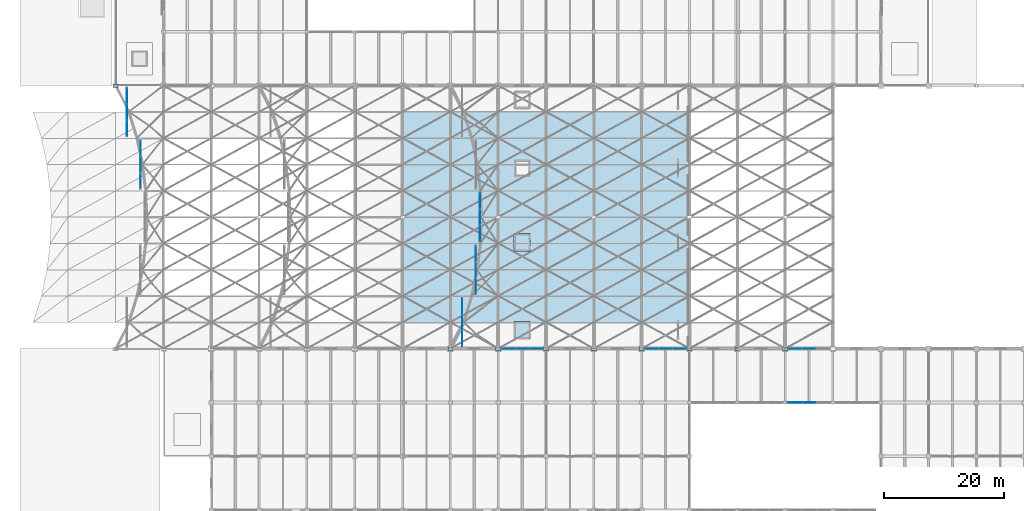
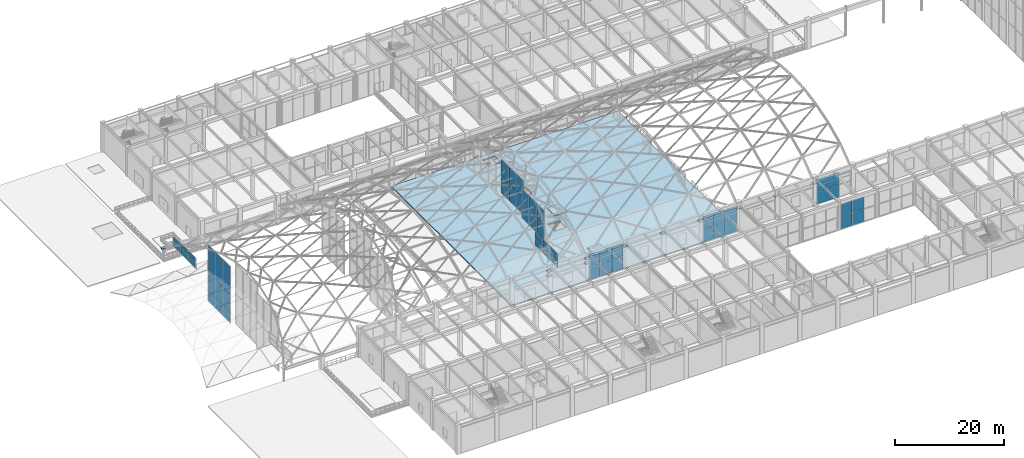
# One storey, part 114 of 163: 61 plates, 3 slabs, 9 elements without a shape of their own.
"""IFC4 building model written with IfcOpenShell, lengths in metres."""

from ifc_helpers import new_model, si_unit, direction, frame, origin, origin_2d, place, context, subcontext, project, spatial, polyline, rectangle, outline, extrude, material, layer, layer_set, type_object, element, aggregate, save


model = new_model("IFC4")

# Units and contexts
model_context = context("Model", 3, precision=1e-05, world=origin(), true_north=direction((0.0, 1.0)))
body_context = subcontext(model_context, "Body", "Model", "MODEL_VIEW")
ifc_project = project(units=[si_unit("LENGTHUNIT", "METRE"), si_unit("AREAUNIT", "SQUARE_METRE"), si_unit("VOLUMEUNIT", "CUBIC_METRE"), si_unit("PLANEANGLEUNIT", "RADIAN"), si_unit("MASSUNIT", "GRAM", prefix="KILO")], contexts=[model_context])

# Site, building, storey
site_placement = place(None, origin())
site = spatial("IfcSite", under=ifc_project, at=site_placement, CompositionType="ELEMENT")
building_placement = place(site_placement, origin())
building = spatial("IfcBuilding", under=site, at=building_placement, Name="Varnabhumi Central Station", CompositionType="ELEMENT")
storey_placement = place(building_placement, frame((0.0, 0.0, 9.60009765625)))
storey = spatial("IfcBuildingStorey", under=building, at=storey_placement, Name="L02", CompositionType="ELEMENT", Elevation=9.60009765625)

# Curtain wall, plates
ifc_material_1 = material(Name="Anodised aluminium 6063-T6", Category="aluminium")
curtain_wall_type_1 = type_object("IfcCurtainWallType", Name="CW-SPINE-SCREEN-L2", PredefinedType="NOTDEFINED", material=ifc_material_1)
curtain_wall_1_placement = place(storey_placement, origin())
curtain_wall_1 = element("IfcCurtainWall", 1, at=curtain_wall_1_placement, inside=storey, type_object=curtain_wall_type_1, Name="Curtain Wall CW-SS209", PredefinedType="NOTDEFINED")
ifc_material_2 = material(Name="Laminated low-E double glazing", Category="glass")
ifc_layer_1 = layer(ifc_material_2, 0.035888671875, Name="Laminated low-E double glazing", Category="glass")
ifc_layer_set_1 = layer_set([ifc_layer_1], Name="Laminated low-E double glazing")
plate_type_1 = type_object("IfcPlateType", Name="CW-PNL-GLZ-3", PredefinedType="CURTAIN_PANEL", material=ifc_layer_set_1)
plate_1_placement = place(storey_placement, frame((105.63330078125, 36.0, 0.0400390625), z_axis=(0.0, 0.0, 1.0), x_axis=(1.0, 0.0, 0.0)))
plate_1 = element("IfcPlate", 2, at=plate_1_placement, type_object=plate_type_1, Name="Glazed Panel CW-SS209-P11", PredefinedType="CURTAIN_PANEL", context=body_context, shape_type="SweptSolid", body=[
    extrude(rectangle(XDim=2.28662109375, YDim=0.035888671875, at=origin_2d()), origin(), (0.0, 0.0, 1.0), 2.739990234375),
])
plate_2_placement = place(storey_placement, frame((105.63330078125, 36.0, 2.85986328125), z_axis=(0.0, 0.0, 1.0), x_axis=(1.0, 0.0, 0.0)))
plate_2 = element("IfcPlate", 3, at=plate_2_placement, type_object=plate_type_1, Name="Glazed Panel CW-SS209-P12", PredefinedType="CURTAIN_PANEL", context=body_context, shape_type="SweptSolid", body=[
    extrude(rectangle(XDim=2.28662109375, YDim=0.035888671875, at=origin_2d()), origin(), (0.0, 0.0, 1.0), 2.739990234375),
])
plate_3_placement = place(storey_placement, frame((108.0, 36.0, 0.0400390625), z_axis=(0.0, 0.0, 1.0), x_axis=(1.0, 0.0, 0.0)))
plate_3 = element("IfcPlate", 4, at=plate_3_placement, type_object=plate_type_1, Name="Glazed Panel CW-SS209-P21", PredefinedType="CURTAIN_PANEL", context=body_context, shape_type="SweptSolid", body=[
    extrude(rectangle(XDim=2.28662109375, YDim=0.035888671875, at=origin_2d()), origin(), (0.0, 0.0, 1.0), 2.739990234375),
])
plate_4_placement = place(storey_placement, frame((108.0, 36.0, 2.85986328125), z_axis=(0.0, 0.0, 1.0), x_axis=(1.0, 0.0, 0.0)))
plate_4 = element("IfcPlate", 5, at=plate_4_placement, type_object=plate_type_1, Name="Glazed Panel CW-SS209-P22", PredefinedType="CURTAIN_PANEL", context=body_context, shape_type="SweptSolid", body=[
    extrude(rectangle(XDim=2.28662109375, YDim=0.035888671875, at=origin_2d()), origin(), (0.0, 0.0, 1.0), 2.739990234375),
])
plate_5_placement = place(storey_placement, frame((110.36669921875, 36.0, 0.0400390625), z_axis=(0.0, 0.0, 1.0), x_axis=(1.0, 0.0, 0.0)))
plate_5 = element("IfcPlate", 6, at=plate_5_placement, type_object=plate_type_1, Name="Glazed Panel CW-SS209-P31", PredefinedType="CURTAIN_PANEL", context=body_context, shape_type="SweptSolid", body=[
    extrude(rectangle(XDim=2.28662109375, YDim=0.035888671875, at=origin_2d()), origin(), (0.0, 0.0, 1.0), 2.739990234375),
])
plate_6_placement = place(storey_placement, frame((110.36669921875, 36.0, 2.85986328125), z_axis=(0.0, 0.0, 1.0), x_axis=(1.0, 0.0, 0.0)))
plate_6 = element("IfcPlate", 7, at=plate_6_placement, type_object=plate_type_1, Name="Glazed Panel CW-SS209-P32", PredefinedType="CURTAIN_PANEL", context=body_context, shape_type="SweptSolid", body=[
    extrude(rectangle(XDim=2.28662109375, YDim=0.035888671875, at=origin_2d()), origin(), (0.0, 0.0, 1.0), 2.739990234375),
])
aggregate(curtain_wall_1, [plate_1, plate_2, plate_3, plate_4, plate_5, plate_6])

curtain_wall_type_2 = type_object("IfcCurtainWallType", Name="CW-VAULT-ARCH-V2", PredefinedType="NOTDEFINED", material=ifc_material_1)
curtain_wall_2_placement = place(storey_placement, origin())
curtain_wall_2 = element("IfcCurtainWall", 8, at=curtain_wall_2_placement, inside=storey, type_object=curtain_wall_type_2, Name="Curtain Wall CW-V24", PredefinedType="NOTDEFINED")
ifc_layer_2 = layer(ifc_material_2, 0.035888671875, Name="Laminated low-E double glazing", Category="glass")
ifc_layer_set_2 = layer_set([ifc_layer_2], Name="Laminated low-E double glazing")
plate_type_2 = type_object("IfcPlateType", Name="CW-PNL-GLZ-5", PredefinedType="CURTAIN_PANEL", material=ifc_layer_set_2)
plate_7_placement = place(storey_placement, frame((20.18798828125, 64.10009765625, -4.76025390625), z_axis=(0.0, 0.0, 1.0), x_axis=(0.0, 1.0, 0.0)))
plate_7 = element("IfcPlate", 9, at=plate_7_placement, type_object=plate_type_2, Name="Glazed Panel CW-V24-P11", PredefinedType="CURTAIN_PANEL", context=body_context, shape_type="SweptSolid", body=[
    extrude(rectangle(XDim=2.6201171875, YDim=0.035888671875, at=origin_2d()), origin(), (0.0, 0.0, 1.0), 6.236083984375),
])
plate_8_placement = place(storey_placement, frame((20.18798828125, 64.10009765625, 1.55615234375), z_axis=(0.0, 0.0, 1.0), x_axis=(0.0, 1.0, 0.0)))
plate_8 = element("IfcPlate", 10, at=plate_8_placement, type_object=plate_type_2, Name="Glazed Panel CW-V24-P12", PredefinedType="CURTAIN_PANEL", context=body_context, shape_type="SweptSolid", body=[
    extrude(rectangle(XDim=2.6201171875, YDim=0.035888671875, at=origin_2d()), origin(), (0.0, 0.0, 1.0), 6.236083984375),
])
plate_9_placement = place(storey_placement, frame((20.18798828125, 66.800048828125, -4.76025390625), z_axis=(0.0, 0.0, 1.0), x_axis=(0.0, 1.0, 0.0)))
plate_9 = element("IfcPlate", 11, at=plate_9_placement, type_object=plate_type_2, Name="Glazed Panel CW-V24-P21", PredefinedType="CURTAIN_PANEL", context=body_context, shape_type="SweptSolid", body=[
    extrude(rectangle(XDim=2.6201171875, YDim=0.035888671875, at=origin_2d()), origin(), (0.0, 0.0, 1.0), 6.236083984375),
])
plate_10_placement = place(storey_placement, frame((20.18798828125, 66.800048828125, 1.55615234375), z_axis=(0.0, 0.0, 1.0), x_axis=(0.0, 1.0, 0.0)))
plate_10 = element("IfcPlate", 12, at=plate_10_placement, type_object=plate_type_2, Name="Glazed Panel CW-V24-P22", PredefinedType="CURTAIN_PANEL", context=body_context, shape_type="SweptSolid", body=[
    extrude(rectangle(XDim=2.6201171875, YDim=0.035888671875, at=origin_2d()), origin(), (0.0, 0.0, 1.0), 6.236083984375),
])
plate_11_placement = place(storey_placement, frame((20.18798828125, 69.5, -4.76025390625), z_axis=(0.0, 0.0, 1.0), x_axis=(0.0, 1.0, 0.0)))
plate_11 = element("IfcPlate", 13, at=plate_11_placement, type_object=plate_type_2, Name="Glazed Panel CW-V24-P31", PredefinedType="CURTAIN_PANEL", context=body_context, shape_type="SweptSolid", body=[
    extrude(rectangle(XDim=2.6201171875, YDim=0.035888671875, at=origin_2d()), origin(), (0.0, 0.0, 1.0), 6.236083984375),
])
plate_12_placement = place(storey_placement, frame((20.18798828125, 69.5, 1.55615234375), z_axis=(0.0, 0.0, 1.0), x_axis=(0.0, 1.0, 0.0)))
plate_12 = element("IfcPlate", 14, at=plate_12_placement, type_object=plate_type_2, Name="Glazed Panel CW-V24-P32", PredefinedType="CURTAIN_PANEL", context=body_context, shape_type="SweptSolid", body=[
    extrude(rectangle(XDim=2.6201171875, YDim=0.035888671875, at=origin_2d()), origin(), (0.0, 0.0, 1.0), 6.236083984375),
])
aggregate(curtain_wall_2, [plate_7, plate_8, plate_9, plate_10, plate_11, plate_12])

curtain_wall_3_placement = place(storey_placement, origin())
curtain_wall_3 = element("IfcCurtainWall", 15, at=curtain_wall_3_placement, inside=storey, type_object=curtain_wall_type_2, Name="Curtain Wall CW-V25", PredefinedType="NOTDEFINED")
plate_13_placement = place(storey_placement, frame((17.910888671875, 72.89990234375, 2.93994140625), z_axis=(0.0, 0.0, 1.0), x_axis=(0.0, 1.0, 0.0)))
plate_13 = element("IfcPlate", 16, at=plate_13_placement, type_object=plate_type_2, Name="Glazed Panel CW-V25-P11", PredefinedType="CURTAIN_PANEL", context=body_context, shape_type="SweptSolid", body=[
    extrude(rectangle(XDim=2.6201171875, YDim=0.035888671875, at=origin_2d()), origin(), (0.0, 0.0, 1.0), 1.072265625),
])
plate_14_placement = place(storey_placement, frame((17.910888671875, 72.89990234375, 4.092041015625), z_axis=(0.0, 0.0, 1.0), x_axis=(0.0, 1.0, 0.0)))
plate_14 = element("IfcPlate", 17, at=plate_14_placement, type_object=plate_type_2, Name="Glazed Panel CW-V25-P12", PredefinedType="CURTAIN_PANEL", context=body_context, shape_type="SweptSolid", body=[
    extrude(rectangle(XDim=2.6201171875, YDim=0.035888671875, at=origin_2d()), origin(), (0.0, 0.0, 1.0), 1.072265625),
])
plate_15_placement = place(storey_placement, frame((17.910888671875, 75.60009765625, 2.93994140625), z_axis=(0.0, 0.0, 1.0), x_axis=(0.0, 1.0, 0.0)))
plate_15 = element("IfcPlate", 18, at=plate_15_placement, type_object=plate_type_2, Name="Glazed Panel CW-V25-P21", PredefinedType="CURTAIN_PANEL", context=body_context, shape_type="SweptSolid", body=[
    extrude(rectangle(XDim=2.6201171875, YDim=0.035888671875, at=origin_2d()), origin(), (0.0, 0.0, 1.0), 1.072265625),
])
plate_16_placement = place(storey_placement, frame((17.910888671875, 75.60009765625, 4.092041015625), z_axis=(0.0, 0.0, 1.0), x_axis=(0.0, 1.0, 0.0)))
plate_16 = element("IfcPlate", 19, at=plate_16_placement, type_object=plate_type_2, Name="Glazed Panel CW-V25-P22", PredefinedType="CURTAIN_PANEL", context=body_context, shape_type="SweptSolid", body=[
    extrude(rectangle(XDim=2.6201171875, YDim=0.035888671875, at=origin_2d()), origin(), (0.0, 0.0, 1.0), 1.072265625),
])
plate_17_placement = place(storey_placement, frame((17.910888671875, 78.300048828125, 2.93994140625), z_axis=(0.0, 0.0, 1.0), x_axis=(0.0, 1.0, 0.0)))
plate_17 = element("IfcPlate", 20, at=plate_17_placement, type_object=plate_type_2, Name="Glazed Panel CW-V25-P31", PredefinedType="CURTAIN_PANEL", context=body_context, shape_type="SweptSolid", body=[
    extrude(rectangle(XDim=2.6201171875, YDim=0.035888671875, at=origin_2d()), origin(), (0.0, 0.0, 1.0), 1.072265625),
])
plate_18_placement = place(storey_placement, frame((17.910888671875, 78.300048828125, 4.092041015625), z_axis=(0.0, 0.0, 1.0), x_axis=(0.0, 1.0, 0.0)))
plate_18 = element("IfcPlate", 21, at=plate_18_placement, type_object=plate_type_2, Name="Glazed Panel CW-V25-P32", PredefinedType="CURTAIN_PANEL", context=body_context, shape_type="SweptSolid", body=[
    extrude(rectangle(XDim=2.6201171875, YDim=0.035888671875, at=origin_2d()), origin(), (0.0, 0.0, 1.0), 1.072265625),
])
aggregate(curtain_wall_3, [plate_13, plate_14, plate_15, plate_16, plate_17, plate_18])

curtain_wall_4_placement = place(storey_placement, origin())
curtain_wall_4 = element("IfcCurtainWall", 22, at=curtain_wall_4_placement, inside=storey, type_object=curtain_wall_type_1, Name="Curtain Wall CW-SS212", PredefinedType="NOTDEFINED")
ifc_layer_3 = layer(ifc_material_2, 0.035888671875, Name="Laminated low-E double glazing", Category="glass")
ifc_layer_set_3 = layer_set([ifc_layer_3], Name="Laminated low-E double glazing")
plate_type_3 = type_object("IfcPlateType", Name="CW-PNL-GLZ-6", PredefinedType="CURTAIN_PANEL", material=ifc_layer_set_3)
plate_19_placement = place(storey_placement, frame((129.63330078125, 36.0, 0.0400390625), z_axis=(0.0, 0.0, 1.0), x_axis=(1.0, 0.0, 0.0)))
plate_19 = element("IfcPlate", 23, at=plate_19_placement, type_object=plate_type_3, Name="Glazed Panel CW-SS212-P11", PredefinedType="CURTAIN_PANEL", context=body_context, shape_type="SweptSolid", body=[
    extrude(rectangle(XDim=2.28662109375, YDim=0.035888671875, at=origin_2d()), origin(), (0.0, 0.0, 1.0), 2.739990234375),
])
plate_20_placement = place(storey_placement, frame((129.63330078125, 36.0, 2.85986328125), z_axis=(0.0, 0.0, 1.0), x_axis=(1.0, 0.0, 0.0)))
plate_20 = element("IfcPlate", 24, at=plate_20_placement, type_object=plate_type_3, Name="Glazed Panel CW-SS212-P12", PredefinedType="CURTAIN_PANEL", context=body_context, shape_type="SweptSolid", body=[
    extrude(rectangle(XDim=2.28662109375, YDim=0.035888671875, at=origin_2d()), origin(), (0.0, 0.0, 1.0), 2.739990234375),
])
plate_21_placement = place(storey_placement, frame((132.0, 36.0, 0.0400390625), z_axis=(0.0, 0.0, 1.0), x_axis=(1.0, 0.0, 0.0)))
plate_21 = element("IfcPlate", 25, at=plate_21_placement, type_object=plate_type_3, Name="Glazed Panel CW-SS212-P21", PredefinedType="CURTAIN_PANEL", context=body_context, shape_type="SweptSolid", body=[
    extrude(rectangle(XDim=2.28662109375, YDim=0.035888671875, at=origin_2d()), origin(), (0.0, 0.0, 1.0), 2.739990234375),
])
plate_22_placement = place(storey_placement, frame((132.0, 36.0, 2.85986328125), z_axis=(0.0, 0.0, 1.0), x_axis=(1.0, 0.0, 0.0)))
plate_22 = element("IfcPlate", 26, at=plate_22_placement, type_object=plate_type_3, Name="Glazed Panel CW-SS212-P22", PredefinedType="CURTAIN_PANEL", context=body_context, shape_type="SweptSolid", body=[
    extrude(rectangle(XDim=2.28662109375, YDim=0.035888671875, at=origin_2d()), origin(), (0.0, 0.0, 1.0), 2.739990234375),
])
aggregate(curtain_wall_4, [plate_19, plate_20, plate_21, plate_22])

curtain_wall_type_3 = type_object("IfcCurtainWallType", Name="CW-PATIO-LOGGIA-L2", PredefinedType="NOTDEFINED", material=ifc_material_1)
curtain_wall_5_placement = place(storey_placement, origin())
curtain_wall_5 = element("IfcCurtainWall", 27, at=curtain_wall_5_placement, inside=storey, type_object=curtain_wall_type_3, Name="Curtain Wall CW-SP2N3", PredefinedType="NOTDEFINED")
ifc_layer_4 = layer(ifc_material_2, 0.035888671875, Name="Laminated low-E double glazing", Category="glass")
ifc_layer_set_4 = layer_set([ifc_layer_4], Name="Laminated low-E double glazing")
plate_type_4 = type_object("IfcPlateType", Name="CW-PNL-GLZ-8", PredefinedType="CURTAIN_PANEL", material=ifc_layer_set_4)
plate_23_placement = place(storey_placement, frame((129.61328125, 27.0, 0.0400390625), z_axis=(0.0, 0.0, 1.0), x_axis=(1.0, 0.0, 0.0)))
plate_23 = element("IfcPlate", 28, at=plate_23_placement, type_object=plate_type_4, Name="Glazed Panel CW-SP2N3-P11", PredefinedType="CURTAIN_PANEL", context=body_context, shape_type="SweptSolid", body=[
    extrude(rectangle(XDim=2.306640625, YDim=0.035888671875, at=origin_2d()), origin(), (0.0, 0.0, 1.0), 2.739990234375),
])
plate_24_placement = place(storey_placement, frame((129.61328125, 27.0, 2.85986328125), z_axis=(0.0, 0.0, 1.0), x_axis=(1.0, 0.0, 0.0)))
plate_24 = element("IfcPlate", 29, at=plate_24_placement, type_object=plate_type_4, Name="Glazed Panel CW-SP2N3-P12", PredefinedType="CURTAIN_PANEL", context=body_context, shape_type="SweptSolid", body=[
    extrude(rectangle(XDim=2.306640625, YDim=0.035888671875, at=origin_2d()), origin(), (0.0, 0.0, 1.0), 2.739990234375),
])
plate_25_placement = place(storey_placement, frame((132.0, 27.0, 0.0400390625), z_axis=(0.0, 0.0, 1.0), x_axis=(1.0, 0.0, 0.0)))
plate_25 = element("IfcPlate", 30, at=plate_25_placement, type_object=plate_type_4, Name="Glazed Panel CW-SP2N3-P21", PredefinedType="CURTAIN_PANEL", context=body_context, shape_type="SweptSolid", body=[
    extrude(rectangle(XDim=2.306640625, YDim=0.035888671875, at=origin_2d()), origin(), (0.0, 0.0, 1.0), 2.739990234375),
])
plate_26_placement = place(storey_placement, frame((132.0, 27.0, 2.85986328125), z_axis=(0.0, 0.0, 1.0), x_axis=(1.0, 0.0, 0.0)))
plate_26 = element("IfcPlate", 31, at=plate_26_placement, type_object=plate_type_4, Name="Glazed Panel CW-SP2N3-P22", PredefinedType="CURTAIN_PANEL", context=body_context, shape_type="SweptSolid", body=[
    extrude(rectangle(XDim=2.306640625, YDim=0.035888671875, at=origin_2d()), origin(), (0.0, 0.0, 1.0), 2.739990234375),
])
aggregate(curtain_wall_5, [plate_23, plate_24, plate_25, plate_26])

curtain_wall_type_4 = type_object("IfcCurtainWallType", Name="CW-VAULT-ARCH-V4", PredefinedType="NOTDEFINED", material=ifc_material_1)
curtain_wall_6_placement = place(storey_placement, origin())
curtain_wall_6 = element("IfcCurtainWall", 32, at=curtain_wall_6_placement, inside=storey, type_object=curtain_wall_type_4, Name="Curtain Wall CW-V41", PredefinedType="NOTDEFINED")
ifc_layer_5 = layer(ifc_material_2, 0.035888671875, Name="Laminated low-E double glazing", Category="glass")
ifc_layer_set_5 = layer_set([ifc_layer_5], Name="Laminated low-E double glazing")
plate_type_5 = type_object("IfcPlateType", Name="CW-PNL-GLZ-9", PredefinedType="CURTAIN_PANEL", material=ifc_layer_set_5)
plate_27_placement = place(storey_placement, frame((73.98095703125, 37.699951171875, 4.889892578125), z_axis=(0.0, 0.0, 1.0), x_axis=(0.0, 1.0, 0.0)))
plate_27 = element("IfcPlate", 33, at=plate_27_placement, type_object=plate_type_5, Name="Glazed Panel CW-V41-P11", PredefinedType="CURTAIN_PANEL", context=body_context, shape_type="SweptSolid", body=[
    extrude(rectangle(XDim=2.6201171875, YDim=0.035888671875, at=origin_2d()), origin(), (0.0, 0.0, 1.0), 1.45556640625),
])
plate_28_placement = place(storey_placement, frame((73.98095703125, 37.699951171875, 6.42529296875), z_axis=(0.0, 0.0, 1.0), x_axis=(0.0, 1.0, 0.0)))
plate_28 = element("IfcPlate", 34, at=plate_28_placement, type_object=plate_type_5, Name="Glazed Panel CW-V41-P12", PredefinedType="CURTAIN_PANEL", context=body_context, shape_type="SweptSolid", body=[
    extrude(rectangle(XDim=2.6201171875, YDim=0.035888671875, at=origin_2d()), origin(), (0.0, 0.0, 1.0), 1.45556640625),
])
plate_29_placement = place(storey_placement, frame((73.98095703125, 40.39990234375, 4.889892578125), z_axis=(0.0, 0.0, 1.0), x_axis=(0.0, 1.0, 0.0)))
plate_29 = element("IfcPlate", 35, at=plate_29_placement, type_object=plate_type_5, Name="Glazed Panel CW-V41-P21", PredefinedType="CURTAIN_PANEL", context=body_context, shape_type="SweptSolid", body=[
    extrude(rectangle(XDim=2.6201171875, YDim=0.035888671875, at=origin_2d()), origin(), (0.0, 0.0, 1.0), 1.45556640625),
])
plate_30_placement = place(storey_placement, frame((73.98095703125, 40.39990234375, 6.42529296875), z_axis=(0.0, 0.0, 1.0), x_axis=(0.0, 1.0, 0.0)))
plate_30 = element("IfcPlate", 36, at=plate_30_placement, type_object=plate_type_5, Name="Glazed Panel CW-V41-P22", PredefinedType="CURTAIN_PANEL", context=body_context, shape_type="SweptSolid", body=[
    extrude(rectangle(XDim=2.6201171875, YDim=0.035888671875, at=origin_2d()), origin(), (0.0, 0.0, 1.0), 1.45556640625),
])
plate_31_placement = place(storey_placement, frame((73.98095703125, 43.10009765625, 4.889892578125), z_axis=(0.0, 0.0, 1.0), x_axis=(0.0, 1.0, 0.0)))
plate_31 = element("IfcPlate", 37, at=plate_31_placement, type_object=plate_type_5, Name="Glazed Panel CW-V41-P31", PredefinedType="CURTAIN_PANEL", context=body_context, shape_type="SweptSolid", body=[
    extrude(rectangle(XDim=2.6201171875, YDim=0.035888671875, at=origin_2d()), origin(), (0.0, 0.0, 1.0), 1.45556640625),
])
plate_32_placement = place(storey_placement, frame((73.98095703125, 43.10009765625, 6.42529296875), z_axis=(0.0, 0.0, 1.0), x_axis=(0.0, 1.0, 0.0)))
plate_32 = element("IfcPlate", 38, at=plate_32_placement, type_object=plate_type_5, Name="Glazed Panel CW-V41-P32", PredefinedType="CURTAIN_PANEL", context=body_context, shape_type="SweptSolid", body=[
    extrude(rectangle(XDim=2.6201171875, YDim=0.035888671875, at=origin_2d()), origin(), (0.0, 0.0, 1.0), 1.45556640625),
])
aggregate(curtain_wall_6, [plate_27, plate_28, plate_29, plate_30, plate_31, plate_32])

curtain_wall_7_placement = place(storey_placement, origin())
curtain_wall_7 = element("IfcCurtainWall", 39, at=curtain_wall_7_placement, inside=storey, type_object=curtain_wall_type_4, Name="Curtain Wall CW-V42", PredefinedType="NOTDEFINED")
plate_33_placement = place(storey_placement, frame((76.258056640625, 46.5, 4.889892578125), z_axis=(0.0, 0.0, 1.0), x_axis=(0.0, 1.0, 0.0)))
plate_33 = element("IfcPlate", 40, at=plate_33_placement, type_object=plate_type_5, Name="Glazed Panel CW-V42-P11", PredefinedType="CURTAIN_PANEL", context=body_context, shape_type="SweptSolid", body=[
    extrude(rectangle(XDim=2.6201171875, YDim=0.035888671875, at=origin_2d()), origin(), (0.0, 0.0, 1.0), 3.16357421875),
])
plate_34_placement = place(storey_placement, frame((76.258056640625, 46.5, 8.133544921875), z_axis=(0.0, 0.0, 1.0), x_axis=(0.0, 1.0, 0.0)))
plate_34 = element("IfcPlate", 41, at=plate_34_placement, type_object=plate_type_5, Name="Glazed Panel CW-V42-P12", PredefinedType="CURTAIN_PANEL", context=body_context, shape_type="SweptSolid", body=[
    extrude(rectangle(XDim=2.6201171875, YDim=0.035888671875, at=origin_2d()), origin(), (0.0, 0.0, 1.0), 3.16357421875),
])
plate_35_placement = place(storey_placement, frame((76.258056640625, 49.199951171875, 4.889892578125), z_axis=(0.0, 0.0, 1.0), x_axis=(0.0, 1.0, 0.0)))
plate_35 = element("IfcPlate", 42, at=plate_35_placement, type_object=plate_type_5, Name="Glazed Panel CW-V42-P21", PredefinedType="CURTAIN_PANEL", context=body_context, shape_type="SweptSolid", body=[
    extrude(rectangle(XDim=2.6201171875, YDim=0.035888671875, at=origin_2d()), origin(), (0.0, 0.0, 1.0), 3.16357421875),
])
plate_36_placement = place(storey_placement, frame((76.258056640625, 49.199951171875, 8.133544921875), z_axis=(0.0, 0.0, 1.0), x_axis=(0.0, 1.0, 0.0)))
plate_36 = element("IfcPlate", 43, at=plate_36_placement, type_object=plate_type_5, Name="Glazed Panel CW-V42-P22", PredefinedType="CURTAIN_PANEL", context=body_context, shape_type="SweptSolid", body=[
    extrude(rectangle(XDim=2.6201171875, YDim=0.035888671875, at=origin_2d()), origin(), (0.0, 0.0, 1.0), 3.16357421875),
])
plate_37_placement = place(storey_placement, frame((76.258056640625, 51.89990234375, 4.889892578125), z_axis=(0.0, 0.0, 1.0), x_axis=(0.0, 1.0, 0.0)))
plate_37 = element("IfcPlate", 44, at=plate_37_placement, type_object=plate_type_5, Name="Glazed Panel CW-V42-P31", PredefinedType="CURTAIN_PANEL", context=body_context, shape_type="SweptSolid", body=[
    extrude(rectangle(XDim=2.6201171875, YDim=0.035888671875, at=origin_2d()), origin(), (0.0, 0.0, 1.0), 3.16357421875),
])
plate_38_placement = place(storey_placement, frame((76.258056640625, 51.89990234375, 8.133544921875), z_axis=(0.0, 0.0, 1.0), x_axis=(0.0, 1.0, 0.0)))
plate_38 = element("IfcPlate", 45, at=plate_38_placement, type_object=plate_type_5, Name="Glazed Panel CW-V42-P32", PredefinedType="CURTAIN_PANEL", context=body_context, shape_type="SweptSolid", body=[
    extrude(rectangle(XDim=2.6201171875, YDim=0.035888671875, at=origin_2d()), origin(), (0.0, 0.0, 1.0), 3.16357421875),
])
aggregate(curtain_wall_7, [plate_33, plate_34, plate_35, plate_36, plate_37, plate_38])

curtain_wall_8_placement = place(storey_placement, origin())
curtain_wall_8 = element("IfcCurtainWall", 46, at=curtain_wall_8_placement, inside=storey, type_object=curtain_wall_type_4, Name="Curtain Wall CW-V43", PredefinedType="NOTDEFINED")
plate_39_placement = place(storey_placement, frame((76.967041015625, 55.300048828125, 4.8896484375), z_axis=(0.0, 0.0, 1.0), x_axis=(0.0, 1.0, 0.0)))
plate_39 = element("IfcPlate", 47, at=plate_39_placement, type_object=plate_type_5, Name="Glazed Panel CW-V43-P11", PredefinedType="CURTAIN_PANEL", context=body_context, shape_type="SweptSolid", body=[
    extrude(rectangle(XDim=2.6201171875, YDim=0.035888671875, at=origin_2d()), origin(), (0.0, 0.0, 1.0), 3.695068359375),
])
plate_40_placement = place(storey_placement, frame((76.967041015625, 55.300048828125, 8.6650390625), z_axis=(0.0, 0.0, 1.0), x_axis=(0.0, 1.0, 0.0)))
plate_40 = element("IfcPlate", 48, at=plate_40_placement, type_object=plate_type_5, Name="Glazed Panel CW-V43-P12", PredefinedType="CURTAIN_PANEL", context=body_context, shape_type="SweptSolid", body=[
    extrude(rectangle(XDim=2.6201171875, YDim=0.035888671875, at=origin_2d()), origin(), (0.0, 0.0, 1.0), 3.695068359375),
])
plate_41_placement = place(storey_placement, frame((76.967041015625, 58.0, 4.8896484375), z_axis=(0.0, 0.0, 1.0), x_axis=(0.0, 1.0, 0.0)))
plate_41 = element("IfcPlate", 49, at=plate_41_placement, type_object=plate_type_5, Name="Glazed Panel CW-V43-P21", PredefinedType="CURTAIN_PANEL", context=body_context, shape_type="SweptSolid", body=[
    extrude(rectangle(XDim=2.6201171875, YDim=0.035888671875, at=origin_2d()), origin(), (0.0, 0.0, 1.0), 3.695068359375),
])
plate_42_placement = place(storey_placement, frame((76.967041015625, 58.0, 8.6650390625), z_axis=(0.0, 0.0, 1.0), x_axis=(0.0, 1.0, 0.0)))
plate_42 = element("IfcPlate", 50, at=plate_42_placement, type_object=plate_type_5, Name="Glazed Panel CW-V43-P22", PredefinedType="CURTAIN_PANEL", context=body_context, shape_type="SweptSolid", body=[
    extrude(rectangle(XDim=2.6201171875, YDim=0.035888671875, at=origin_2d()), origin(), (0.0, 0.0, 1.0), 3.695068359375),
])
plate_43_placement = place(storey_placement, frame((76.967041015625, 60.699951171875, 4.8896484375), z_axis=(0.0, 0.0, 1.0), x_axis=(0.0, 1.0, 0.0)))
plate_43 = element("IfcPlate", 51, at=plate_43_placement, type_object=plate_type_5, Name="Glazed Panel CW-V43-P31", PredefinedType="CURTAIN_PANEL", context=body_context, shape_type="SweptSolid", body=[
    extrude(rectangle(XDim=2.6201171875, YDim=0.035888671875, at=origin_2d()), origin(), (0.0, 0.0, 1.0), 3.695068359375),
])
plate_44_placement = place(storey_placement, frame((76.967041015625, 60.699951171875, 8.6650390625), z_axis=(0.0, 0.0, 1.0), x_axis=(0.0, 1.0, 0.0)))
plate_44 = element("IfcPlate", 52, at=plate_44_placement, type_object=plate_type_5, Name="Glazed Panel CW-V43-P32", PredefinedType="CURTAIN_PANEL", context=body_context, shape_type="SweptSolid", body=[
    extrude(rectangle(XDim=2.6201171875, YDim=0.035888671875, at=origin_2d()), origin(), (0.0, 0.0, 1.0), 3.695068359375),
])
aggregate(curtain_wall_8, [plate_39, plate_40, plate_41, plate_42, plate_43, plate_44])

curtain_wall_9_placement = place(storey_placement, origin())
curtain_wall_9 = element("IfcCurtainWall", 53, at=curtain_wall_9_placement, inside=storey, type_object=curtain_wall_type_1, Name="Curtain Wall CW-SS206", PredefinedType="NOTDEFINED")
plate_45_placement = place(storey_placement, frame((81.63330078125, 36.0, 0.0400390625), z_axis=(0.0, 0.0, 1.0), x_axis=(1.0, 0.0, 0.0)))
plate_45 = element("IfcPlate", 54, at=plate_45_placement, type_object=plate_type_5, Name="Glazed Panel CW-SS206-P11", PredefinedType="CURTAIN_PANEL", context=body_context, shape_type="SweptSolid", body=[
    extrude(rectangle(XDim=2.28662109375, YDim=0.035888671875, at=origin_2d()), origin(), (0.0, 0.0, 1.0), 2.739990234375),
])
plate_46_placement = place(storey_placement, frame((81.63330078125, 36.0, 2.85986328125), z_axis=(0.0, 0.0, 1.0), x_axis=(1.0, 0.0, 0.0)))
plate_46 = element("IfcPlate", 55, at=plate_46_placement, type_object=plate_type_5, Name="Glazed Panel CW-SS206-P12", PredefinedType="CURTAIN_PANEL", context=body_context, shape_type="SweptSolid", body=[
    extrude(rectangle(XDim=2.28662109375, YDim=0.035888671875, at=origin_2d()), origin(), (0.0, 0.0, 1.0), 2.739990234375),
])
plate_47_placement = place(storey_placement, frame((84.0, 36.0, 0.0400390625), z_axis=(0.0, 0.0, 1.0), x_axis=(1.0, 0.0, 0.0)))
plate_47 = element("IfcPlate", 56, at=plate_47_placement, type_object=plate_type_5, Name="Glazed Panel CW-SS206-P21", PredefinedType="CURTAIN_PANEL", context=body_context, shape_type="SweptSolid", body=[
    extrude(rectangle(XDim=2.28662109375, YDim=0.035888671875, at=origin_2d()), origin(), (0.0, 0.0, 1.0), 2.739990234375),
])
plate_48_placement = place(storey_placement, frame((84.0, 36.0, 2.85986328125), z_axis=(0.0, 0.0, 1.0), x_axis=(1.0, 0.0, 0.0)))
plate_48 = element("IfcPlate", 57, at=plate_48_placement, type_object=plate_type_5, Name="Glazed Panel CW-SS206-P22", PredefinedType="CURTAIN_PANEL", context=body_context, shape_type="SweptSolid", body=[
    extrude(rectangle(XDim=2.28662109375, YDim=0.035888671875, at=origin_2d()), origin(), (0.0, 0.0, 1.0), 2.739990234375),
])
plate_49_placement = place(storey_placement, frame((86.36669921875, 36.0, 0.0400390625), z_axis=(0.0, 0.0, 1.0), x_axis=(1.0, 0.0, 0.0)))
plate_49 = element("IfcPlate", 58, at=plate_49_placement, type_object=plate_type_5, Name="Glazed Panel CW-SS206-P31", PredefinedType="CURTAIN_PANEL", context=body_context, shape_type="SweptSolid", body=[
    extrude(rectangle(XDim=2.28662109375, YDim=0.035888671875, at=origin_2d()), origin(), (0.0, 0.0, 1.0), 2.739990234375),
])
plate_50_placement = place(storey_placement, frame((86.36669921875, 36.0, 2.85986328125), z_axis=(0.0, 0.0, 1.0), x_axis=(1.0, 0.0, 0.0)))
plate_50 = element("IfcPlate", 59, at=plate_50_placement, type_object=plate_type_5, Name="Glazed Panel CW-SS206-P32", PredefinedType="CURTAIN_PANEL", context=body_context, shape_type="SweptSolid", body=[
    extrude(rectangle(XDim=2.28662109375, YDim=0.035888671875, at=origin_2d()), origin(), (0.0, 0.0, 1.0), 2.739990234375),
])
aggregate(curtain_wall_9, [plate_45, plate_46, plate_47, plate_48, plate_49, plate_50])

# Plates
ifc_material_3 = material(Name="Structural steel E350", Category="steel")
ifc_layer_6 = layer(ifc_material_3, 0.031982421875, Name="Structural steel E350", Category="steel")
ifc_layer_set_6 = layer_set([ifc_layer_6], Name="Structural steel E350")
plate_type_6 = type_object("IfcPlateType", Name="PLT-GUSSET-A", PredefinedType="USERDEFINED", material=ifc_layer_set_6)
for number, where, z_axis, x_axis, name in (
    (60, (16.0, 80.0, 2.98388671875), (0.0, 0.0, 1.0), (1.0, 0.0, 0.0), "Entrance Portico Vault Arch Springing Gusset 1-N"),
    (61, (72.0, 36.0, 3.93408203125), (0.0, 0.0, 1.0), (1.0, 0.0, 0.0), "Ticket Hall Vault Arch Springing Gusset 5-S"),
    (62, (80.0, 36.0, 3.93408203125), (0.0, 0.0, 1.0), (1.0, 0.0, 0.0), "Ticket Hall Vault Arch Springing Gusset 6-S"),
    (63, (72.0, 36.0, 4.93408203125), (0.0, 0.0, 1.0), (1.0, 0.0, 0.0), "Departure Concourse Vault Arch Springing Gusset 1-S"),
    (64, (80.0, 36.0, 4.93408203125), (0.0, 0.0, 1.0), (1.0, 0.0, 0.0), "Departure Concourse Vault Arch Springing Gusset 2-S"),
    (65, (88.0, 36.0, 4.93408203125), (0.0, 0.0, 1.0), (1.0, 0.0, 0.0), "Departure Concourse Vault Arch Springing Gusset 3-S"),
    (66, (96.0, 36.0, 4.93408203125), (0.0, 0.0, 1.0), (1.0, 0.0, 0.0), "Departure Concourse Vault Arch Springing Gusset 4-S"),
    (67, (104.0, 36.0, 4.93408203125), (0.0, 0.0, 1.0), (1.0, 0.0, 0.0), "Departure Concourse Vault Arch Springing Gusset 5-S"),
    (68, (112.0, 36.0, 4.93408203125), (0.0, 0.0, 1.0), (1.0, 0.0, 0.0), "Departure Concourse Vault Arch Springing Gusset 6-S"),
    (69, (120.0, 36.0, 4.93408203125), (0.0, 0.0, 1.0), (1.0, 0.0, 0.0), "Departure Concourse Vault Arch Springing Gusset 7-S"),
    (70, (128.0, 36.0, 4.93408203125), (0.0, 0.0, 1.0), (1.0, 0.0, 0.0), "Departure Concourse Vault Arch Springing Gusset 8-S"),
):
    element("IfcPlate", number, at=place(storey_placement, frame(where, z_axis=z_axis, x_axis=x_axis)), inside=storey, type_object=plate_type_6, Name=name, ObjectType="GUSSET PLATE", PredefinedType="USERDEFINED", context=body_context, shape_type="SweptSolid", body=[
        extrude(rectangle(XDim=0.85009765625, YDim=0.64990234375, at=origin_2d()), origin(), (0.0, 0.0, 1.0), 0.031982421875),
    ])

# Slabs
ifc_material_4 = material(Name="Concrete M40", Category="concrete")
ifc_layer_7 = layer(ifc_material_4, 0.25, Name="Concrete M40", Category="concrete")
ifc_layer_set_7 = layer_set([ifc_layer_7], Name="Concrete M40")
slab_type_1 = type_object("IfcSlabType", Name="SLB-AZOTEA-200", PredefinedType="ROOF", material=ifc_layer_set_7)
slab_1_placement = place(storey_placement, frame((0.0, 0.0, 3.39990234375)))
element("IfcSlab", 71, at=slab_1_placement, inside=storey, type_object=slab_type_1, Name="Platform Lift Overrun Roof Cap PL-1", PredefinedType="ROOF", context=body_context, shape_type="SweptSolid", body=[
    extrude(outline(polyline([(82.659912109375, 37.659912109375), (85.340087890625, 37.659912109375), (85.340087890625, 40.5400390625), (82.659912109375, 40.5400390625), (82.659912109375, 37.659912109375)])), origin(), (0.0, 0.0, 1.0), 0.25),
])
slab_2_placement = place(storey_placement, frame((0.0, 0.0, 3.39990234375)))
element("IfcSlab", 72, at=slab_2_placement, inside=storey, type_object=slab_type_1, Name="Platform Lift Overrun Roof Cap PL-2", PredefinedType="ROOF", context=body_context, shape_type="SweptSolid", body=[
    extrude(outline(polyline([(82.659912109375, 52.360107421875), (85.340087890625, 52.360107421875), (85.340087890625, 55.239990234375), (82.659912109375, 55.239990234375), (82.659912109375, 52.360107421875)])), origin(), (0.0, 0.0, 1.0), 0.25),
])
ifc_layer_8 = layer(ifc_material_4, 0.320068359375, Name="Concrete M40", Category="concrete")
ifc_layer_set_8 = layer_set([ifc_layer_8], Name="Concrete M40")
slab_type_2 = type_object("IfcSlabType", Name="SLB-CONCOURSE-320", PredefinedType="FLOOR", material=ifc_layer_set_8)
slab_3_placement = place(storey_placement, frame((0.0, 0.0, -0.320068359375)))
element("IfcSlab", 73, at=slab_3_placement, inside=storey, type_object=slab_type_2, Name="L02 Concourse Bridge Main Segment Slab (Grids 9-15)", PredefinedType="FLOOR", context=body_context, shape_type="SweptSolid", body=[
    extrude(outline(polyline([(64.06005859375, 36.0), (112.0, 36.0), (112.0, 80.0), (64.06005859375, 80.0), (64.06005859375, 36.0)]), holes=[polyline([(82.800048828125, 37.89990234375), (85.199951171875, 37.89990234375), (85.199951171875, 40.300048828125), (82.800048828125, 40.300048828125), (82.800048828125, 37.89990234375)]), polyline([(82.800048828125, 52.60009765625), (85.199951171875, 52.60009765625), (85.199951171875, 55.0), (82.800048828125, 55.0), (82.800048828125, 52.60009765625)]), polyline([(82.800048828125, 65.0), (85.199951171875, 65.0), (85.199951171875, 67.39990234375), (82.800048828125, 67.39990234375), (82.800048828125, 65.0)]), polyline([(82.800048828125, 76.39990234375), (85.199951171875, 76.39990234375), (85.199951171875, 78.800048828125), (82.800048828125, 78.800048828125), (82.800048828125, 76.39990234375)])]), origin(), (0.0, 0.0, 1.0), 0.320068359375),
])

save(model, "model.ifc")
